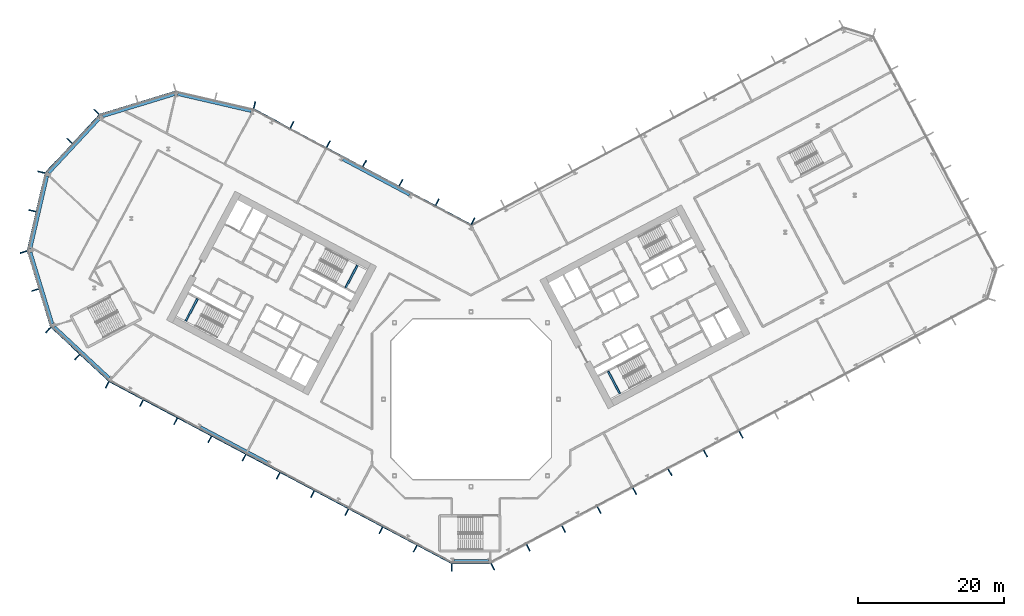
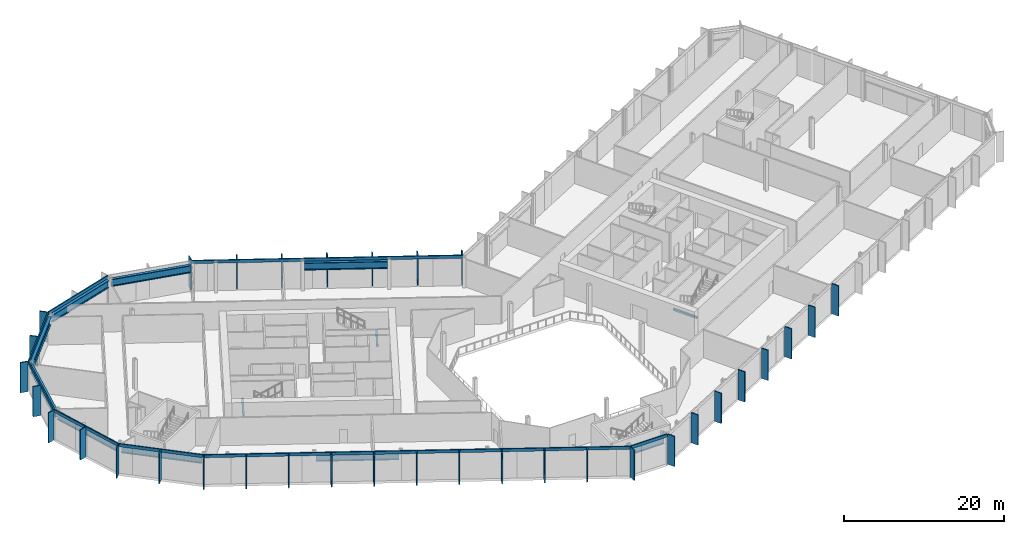
# One storey, part 7 of 31: 42 members, 12 beams, 10 elements without a shape of their own.
"""IFC4 building model written with IfcOpenShell, lengths in metres."""

from ifc_helpers import new_model, si_unit, direction, frame, origin, origin_2d, place, context, subcontext, project, spatial, rectangle, i_section, extrude, material, layer, layer_set, material_profile, profile_set, type_object, element, aggregate, save


model = new_model("IFC4")

# Units and contexts
model_context = context("Model", 3, precision=1e-05, world=origin(), true_north=direction((0.0, 1.0)))
body_context = subcontext(model_context, "Body", "Model", "MODEL_VIEW")
ifc_project = project(units=[si_unit("LENGTHUNIT", "METRE"), si_unit("AREAUNIT", "SQUARE_METRE"), si_unit("VOLUMEUNIT", "CUBIC_METRE"), si_unit("PLANEANGLEUNIT", "RADIAN"), si_unit("MASSUNIT", "GRAM", prefix="KILO")], contexts=[model_context])

# Site, building, storey
site_placement = place(None, origin())
site = spatial("IfcSite", under=ifc_project, at=site_placement, CompositionType="ELEMENT")
building_placement = place(site_placement, origin())
building = spatial("IfcBuilding", under=site, at=building_placement, Name="Cormorant Relay Tower", CompositionType="ELEMENT")
storey_placement = place(building_placement, frame((0.0, 0.0, 98.39990234375)))
storey = spatial("IfcBuildingStorey", under=building, at=storey_placement, Name="L19", CompositionType="ELEMENT", Elevation=98.39990234375)

# Curtain wall, member
ifc_material_1 = material(Name="Aluminium 6063-T6 anodised bronze", Category="aluminium")
ifc_layer = layer(ifc_material_1, 0.199951171875)
ifc_layer_set = layer_set([ifc_layer], Name="CW1 unitised bronze curtain wall with vertical fins")
curtain_wall_type = type_object("IfcCurtainWallType", Name="CW1 unitised bronze curtain wall with vertical fins", PredefinedType="NOTDEFINED", material=ifc_layer_set)
curtain_wall_1_placement = place(storey_placement, origin())
curtain_wall_1 = element("IfcCurtainWall", 1, at=curtain_wall_1_placement, inside=storey, type_object=curtain_wall_type, Name="CW1 curtain wall 1", PredefinedType="NOTDEFINED")
ifc_material_2 = material(Name="Aluminium 6063-T6 anodised bronze", Category="aluminium")
ifc_material_profile_1 = material_profile(ifc_material_2, rectangle(XDim=0.14990234375, YDim=1.0, at=origin_2d()), Name="AL 150x1000")
ifc_profile_set_1 = profile_set([ifc_material_profile_1], Name="Aluminium 6063-T6 anodised bronze")
member_type_1 = type_object("IfcMemberType", Name="CW1 bronze fin mullion 150 x 1000", PredefinedType="MULLION", material=ifc_profile_set_1)
member_1_placement = place(storey_placement, frame((-2.648681640625, -23.07568359375, 0.0), z_axis=(0.0, 0.0, 1.0), x_axis=(1.0, 0.0, 0.0)))
member_1 = element("IfcMember", 2, at=member_1_placement, type_object=member_type_1, Name="CW1 fin 1.1", PredefinedType="MULLION", context=body_context, shape_type="SweptSolid", body=[
    extrude(rectangle(XDim=0.14990234375, YDim=1.0, at=origin_2d()), origin(), (0.0, 0.0, 1.0), 4.60009765625),
])

# Curtain wall, members
curtain_wall_2_placement = place(storey_placement, origin())
curtain_wall_2 = element("IfcCurtainWall", 3, at=curtain_wall_2_placement, inside=storey, type_object=curtain_wall_type, Name="CW1 curtain wall 2", PredefinedType="NOTDEFINED")
member_2_placement = place(storey_placement, frame((2.9775390625, -22.99365234375, 0.0), z_axis=(0.0, 0.0, 1.0), x_axis=(0.882947592859, 0.469471562786, 0.0)))
member_2 = element("IfcMember", 4, at=member_2_placement, type_object=member_type_1, Name="CW1 fin 2.1", PredefinedType="MULLION", context=body_context, shape_type="SweptSolid", body=[
    extrude(rectangle(XDim=0.14990234375, YDim=1.0, at=origin_2d()), origin(), (0.0, 0.0, 1.0), 4.60009765625),
])
member_3_placement = place(storey_placement, frame((7.843994140625, -20.406005859375, 0.0), z_axis=(0.0, 0.0, 1.0), x_axis=(0.882947592859, 0.469471562786, 0.0)))
member_3 = element("IfcMember", 5, at=member_3_placement, type_object=member_type_1, Name="CW1 fin 2.2", PredefinedType="MULLION", context=body_context, shape_type="SweptSolid", body=[
    extrude(rectangle(XDim=0.14990234375, YDim=1.0, at=origin_2d()), origin(), (0.0, 0.0, 1.0), 4.60009765625),
])
member_4_placement = place(storey_placement, frame((12.710693359375, -17.818359375, 0.0), z_axis=(0.0, 0.0, 1.0), x_axis=(0.882947592859, 0.469471562786, 0.0)))
member_4 = element("IfcMember", 6, at=member_4_placement, type_object=member_type_1, Name="CW1 fin 2.3", PredefinedType="MULLION", context=body_context, shape_type="SweptSolid", body=[
    extrude(rectangle(XDim=0.14990234375, YDim=1.0, at=origin_2d()), origin(), (0.0, 0.0, 1.0), 4.60009765625),
])
member_5_placement = place(storey_placement, frame((17.577392578125, -15.230712890625, 0.0), z_axis=(0.0, 0.0, 1.0), x_axis=(0.882947592859, 0.469471562786, 0.0)))
member_5 = element("IfcMember", 7, at=member_5_placement, type_object=member_type_1, Name="CW1 fin 2.4", PredefinedType="MULLION", context=body_context, shape_type="SweptSolid", body=[
    extrude(rectangle(XDim=0.14990234375, YDim=1.0, at=origin_2d()), origin(), (0.0, 0.0, 1.0), 4.60009765625),
])
member_6_placement = place(storey_placement, frame((22.444091796875, -12.64306640625, 0.0), z_axis=(0.0, 0.0, 1.0), x_axis=(0.882947592859, 0.469471562786, 0.0)))
member_6 = element("IfcMember", 8, at=member_6_placement, type_object=member_type_1, Name="CW1 fin 2.5", PredefinedType="MULLION", context=body_context, shape_type="SweptSolid", body=[
    extrude(rectangle(XDim=0.14990234375, YDim=1.0, at=origin_2d()), origin(), (0.0, 0.0, 1.0), 4.60009765625),
])
member_7_placement = place(storey_placement, frame((27.310791015625, -10.055419921875, 0.0), z_axis=(0.0, 0.0, 1.0), x_axis=(0.882947592859, 0.469471562786, 0.0)))
member_7 = element("IfcMember", 9, at=member_7_placement, type_object=member_type_1, Name="CW1 fin 2.6", PredefinedType="MULLION", context=body_context, shape_type="SweptSolid", body=[
    extrude(rectangle(XDim=0.14990234375, YDim=1.0, at=origin_2d()), origin(), (0.0, 0.0, 1.0), 4.60009765625),
])
member_8_placement = place(storey_placement, frame((32.177490234375, -7.4677734375, 0.0), z_axis=(0.0, 0.0, 1.0), x_axis=(0.882947592859, 0.469471562786, 0.0)))
member_8 = element("IfcMember", 10, at=member_8_placement, type_object=member_type_1, Name="CW1 fin 2.7", PredefinedType="MULLION", context=body_context, shape_type="SweptSolid", body=[
    extrude(rectangle(XDim=0.14990234375, YDim=1.0, at=origin_2d()), origin(), (0.0, 0.0, 1.0), 4.60009765625),
])
member_9_placement = place(storey_placement, frame((37.044189453125, -4.8798828125, 0.0), z_axis=(0.0, 0.0, 1.0), x_axis=(0.882947592859, 0.469471562786, 0.0)))
member_9 = element("IfcMember", 11, at=member_9_placement, type_object=member_type_1, Name="CW1 fin 2.8", PredefinedType="MULLION", context=body_context, shape_type="SweptSolid", body=[
    extrude(rectangle(XDim=0.14990234375, YDim=1.0, at=origin_2d()), origin(), (0.0, 0.0, 1.0), 4.60009765625),
])
aggregate(curtain_wall_2, [member_2, member_3, member_4, member_5, member_6, member_7, member_8, member_9])

curtain_wall_3_placement = place(storey_placement, origin())
curtain_wall_3 = element("IfcCurtainWall", 12, at=curtain_wall_3_placement, inside=storey, type_object=curtain_wall_type, Name="CW1 curtain wall 7", PredefinedType="NOTDEFINED")
member_10_placement = place(storey_placement, frame((0.262451171875, 24.437255859375, 0.0), z_axis=(0.0, 0.0, 1.0), x_axis=(-0.882947592859, 0.469471562786, 0.0)))
member_10 = element("IfcMember", 13, at=member_10_placement, type_object=member_type_1, Name="CW1 fin 7.1", PredefinedType="MULLION", context=body_context, shape_type="SweptSolid", body=[
    extrude(rectangle(XDim=0.14990234375, YDim=1.0, at=origin_2d()), origin(), (0.0, 0.0, 1.0), 4.60009765625),
])
member_11_placement = place(storey_placement, frame((-4.650390625, 27.04931640625, 0.0), z_axis=(0.0, 0.0, 1.0), x_axis=(-0.882947592859, 0.469471562786, 0.0)))
member_11 = element("IfcMember", 14, at=member_11_placement, type_object=member_type_1, Name="CW1 fin 7.2", PredefinedType="MULLION", context=body_context, shape_type="SweptSolid", body=[
    extrude(rectangle(XDim=0.14990234375, YDim=1.0, at=origin_2d()), origin(), (0.0, 0.0, 1.0), 4.60009765625),
])
member_12_placement = place(storey_placement, frame((-9.62939453125, 29.69677734375, 0.0), z_axis=(0.0, 0.0, 1.0), x_axis=(-0.882947592859, 0.469471562786, 0.0)))
member_12 = element("IfcMember", 15, at=member_12_placement, type_object=member_type_1, Name="CW1 fin 7.3", PredefinedType="MULLION", context=body_context, shape_type="SweptSolid", body=[
    extrude(rectangle(XDim=0.14990234375, YDim=1.0, at=origin_2d()), origin(), (0.0, 0.0, 1.0), 4.60009765625),
])
member_13_placement = place(storey_placement, frame((-14.608154296875, 32.343994140625, 0.0), z_axis=(0.0, 0.0, 1.0), x_axis=(-0.882947592859, 0.469471562786, 0.0)))
member_13 = element("IfcMember", 16, at=member_13_placement, type_object=member_type_1, Name="CW1 fin 7.4", PredefinedType="MULLION", context=body_context, shape_type="SweptSolid", body=[
    extrude(rectangle(XDim=0.14990234375, YDim=1.0, at=origin_2d()), origin(), (0.0, 0.0, 1.0), 4.60009765625),
])
member_14_placement = place(storey_placement, frame((-19.587158203125, 34.991455078125, 0.0), z_axis=(0.0, 0.0, 1.0), x_axis=(-0.882947592859, 0.469471562786, 0.0)))
member_14 = element("IfcMember", 17, at=member_14_placement, type_object=member_type_1, Name="CW1 fin 7.5", PredefinedType="MULLION", context=body_context, shape_type="SweptSolid", body=[
    extrude(rectangle(XDim=0.14990234375, YDim=1.0, at=origin_2d()), origin(), (0.0, 0.0, 1.0), 4.60009765625),
])
member_15_placement = place(storey_placement, frame((-24.566162109375, 37.638916015625, 0.0), z_axis=(0.0, 0.0, 1.0), x_axis=(-0.882947592859, 0.469471562786, 0.0)))
member_15 = element("IfcMember", 18, at=member_15_placement, type_object=member_type_1, Name="CW1 fin 7.6", PredefinedType="MULLION", context=body_context, shape_type="SweptSolid", body=[
    extrude(rectangle(XDim=0.14990234375, YDim=1.0, at=origin_2d()), origin(), (0.0, 0.0, 1.0), 4.60009765625),
])

# Curtain wall, member
curtain_wall_4_placement = place(storey_placement, origin())
curtain_wall_4 = element("IfcCurtainWall", 19, at=curtain_wall_4_placement, inside=storey, type_object=curtain_wall_type, Name="CW1 curtain wall 8", PredefinedType="NOTDEFINED")
member_16_placement = place(storey_placement, frame((-29.71630859375, 40.35009765625, 0.0), z_axis=(0.0, 0.0, 1.0), x_axis=(-0.974370064785, 0.224951054344, 0.0)))
member_16 = element("IfcMember", 20, at=member_16_placement, type_object=member_type_1, Name="CW1 fin 8.1", PredefinedType="MULLION", context=body_context, shape_type="SweptSolid", body=[
    extrude(rectangle(XDim=0.14990234375, YDim=1.0, at=origin_2d()), origin(), (0.0, 0.0, 1.0), 4.60009765625),
])
aggregate(curtain_wall_4, [member_16])

# Curtain wall, members
curtain_wall_5_placement = place(storey_placement, origin())
curtain_wall_5 = element("IfcCurtainWall", 21, at=curtain_wall_5_placement, inside=storey, type_object=curtain_wall_type, Name="CW1 curtain wall 10", PredefinedType="NOTDEFINED")
member_17_placement = place(storey_placement, frame((-51.372802734375, 39.41259765625, 0.0), z_axis=(0.0, 0.0, 1.0), x_axis=(-0.681998360062, -0.731353701619, 0.0)))
member_17 = element("IfcMember", 22, at=member_17_placement, type_object=member_type_1, Name="CW1 fin 10.1", PredefinedType="MULLION", context=body_context, shape_type="SweptSolid", body=[
    extrude(rectangle(XDim=0.14990234375, YDim=1.0, at=origin_2d()), origin(), (0.0, 0.0, 1.0), 4.60009765625),
])
member_18_placement = place(storey_placement, frame((-55.07958984375, 35.4375, 0.0), z_axis=(0.0, 0.0, 1.0), x_axis=(-0.681998360062, -0.731353701619, 0.0)))
member_18 = element("IfcMember", 23, at=member_18_placement, type_object=member_type_1, Name="CW1 fin 10.2", PredefinedType="MULLION", context=body_context, shape_type="SweptSolid", body=[
    extrude(rectangle(XDim=0.14990234375, YDim=1.0, at=origin_2d()), origin(), (0.0, 0.0, 1.0), 4.60009765625),
])

curtain_wall_6_placement = place(storey_placement, origin())
curtain_wall_6 = element("IfcCurtainWall", 24, at=curtain_wall_6_placement, inside=storey, type_object=curtain_wall_type, Name="CW1 curtain wall 11", PredefinedType="NOTDEFINED")
member_19_placement = place(storey_placement, frame((-58.95654296875, 31.142578125, 0.0), z_axis=(0.0, 0.0, 1.0), x_axis=(-0.224951054344, -0.974370064785, 0.0)))
member_19 = element("IfcMember", 25, at=member_19_placement, type_object=member_type_1, Name="CW1 fin 11.1", PredefinedType="MULLION", context=body_context, shape_type="SweptSolid", body=[
    extrude(rectangle(XDim=0.14990234375, YDim=1.0, at=origin_2d()), origin(), (0.0, 0.0, 1.0), 4.60009765625),
])
member_20_placement = place(storey_placement, frame((-60.17919921875, 25.8466796875, 0.0), z_axis=(0.0, 0.0, 1.0), x_axis=(-0.224951054344, -0.974370064785, 0.0)))
member_20 = element("IfcMember", 26, at=member_20_placement, type_object=member_type_1, Name="CW1 fin 11.2", PredefinedType="MULLION", context=body_context, shape_type="SweptSolid", body=[
    extrude(rectangle(XDim=0.14990234375, YDim=1.0, at=origin_2d()), origin(), (0.0, 0.0, 1.0), 4.60009765625),
])

curtain_wall_7_placement = place(storey_placement, origin())
curtain_wall_7 = element("IfcCurtainWall", 27, at=curtain_wall_7_placement, inside=storey, type_object=curtain_wall_type, Name="CW1 curtain wall 12", PredefinedType="NOTDEFINED")
member_21_placement = place(storey_placement, frame((-61.389404296875, 20.188720703125, 0.0), z_axis=(0.0, 0.0, 1.0), x_axis=(0.292371704723, -0.956304755963, 0.0)))
member_21 = element("IfcMember", 28, at=member_21_placement, type_object=member_type_1, Name="CW1 fin 12.1", PredefinedType="MULLION", context=body_context, shape_type="SweptSolid", body=[
    extrude(rectangle(XDim=0.14990234375, YDim=1.0, at=origin_2d()), origin(), (0.0, 0.0, 1.0), 4.60009765625),
])
member_22_placement = place(storey_placement, frame((-59.80029296875, 14.990966796875, 0.0), z_axis=(0.0, 0.0, 1.0), x_axis=(0.292371704723, -0.956304755963, 0.0)))
member_22 = element("IfcMember", 29, at=member_22_placement, type_object=member_type_1, Name="CW1 fin 12.2", PredefinedType="MULLION", context=body_context, shape_type="SweptSolid", body=[
    extrude(rectangle(XDim=0.14990234375, YDim=1.0, at=origin_2d()), origin(), (0.0, 0.0, 1.0), 4.60009765625),
])

curtain_wall_8_placement = place(storey_placement, origin())
curtain_wall_8 = element("IfcCurtainWall", 30, at=curtain_wall_8_placement, inside=storey, type_object=curtain_wall_type, Name="CW1 curtain wall 13", PredefinedType="NOTDEFINED")
member_23_placement = place(storey_placement, frame((-58.01904296875, 9.486083984375, 0.0), z_axis=(0.0, 0.0, 1.0), x_axis=(0.731353701619, -0.681998360062, 0.0)))
member_23 = element("IfcMember", 31, at=member_23_placement, type_object=member_type_1, Name="CW1 fin 13.1", PredefinedType="MULLION", context=body_context, shape_type="SweptSolid", body=[
    extrude(rectangle(XDim=0.14990234375, YDim=1.0, at=origin_2d()), origin(), (0.0, 0.0, 1.0), 4.60009765625),
])
member_24_placement = place(storey_placement, frame((-54.0439453125, 5.779296875, 0.0), z_axis=(0.0, 0.0, 1.0), x_axis=(0.731353701619, -0.681998360062, 0.0)))
member_24 = element("IfcMember", 32, at=member_24_placement, type_object=member_type_1, Name="CW1 fin 13.2", PredefinedType="MULLION", context=body_context, shape_type="SweptSolid", body=[
    extrude(rectangle(XDim=0.14990234375, YDim=1.0, at=origin_2d()), origin(), (0.0, 0.0, 1.0), 4.60009765625),
])

curtain_wall_9_placement = place(storey_placement, origin())
curtain_wall_9 = element("IfcCurtainWall", 33, at=curtain_wall_9_placement, inside=storey, type_object=curtain_wall_type, Name="CW1 curtain wall 14", PredefinedType="NOTDEFINED")
member_25_placement = place(storey_placement, frame((-49.920166015625, 1.96630859375, 0.0), z_axis=(0.0, 0.0, 1.0), x_axis=(0.882947592859, -0.469471562786, 0.0)))
member_25 = element("IfcMember", 34, at=member_25_placement, type_object=member_type_1, Name="CW1 fin 14.1", PredefinedType="MULLION", context=body_context, shape_type="SweptSolid", body=[
    extrude(rectangle(XDim=0.14990234375, YDim=1.0, at=origin_2d()), origin(), (0.0, 0.0, 1.0), 4.60009765625),
])
member_26_placement = place(storey_placement, frame((-45.225830078125, -0.52978515625, 0.0), z_axis=(0.0, 0.0, 1.0), x_axis=(0.882947592859, -0.469471562786, 0.0)))
member_26 = element("IfcMember", 35, at=member_26_placement, type_object=member_type_1, Name="CW1 fin 14.2", PredefinedType="MULLION", context=body_context, shape_type="SweptSolid", body=[
    extrude(rectangle(XDim=0.14990234375, YDim=1.0, at=origin_2d()), origin(), (0.0, 0.0, 1.0), 4.60009765625),
])
member_27_placement = place(storey_placement, frame((-40.531494140625, -3.025634765625, 0.0), z_axis=(0.0, 0.0, 1.0), x_axis=(0.882947592859, -0.469471562786, 0.0)))
member_27 = element("IfcMember", 36, at=member_27_placement, type_object=member_type_1, Name="CW1 fin 14.3", PredefinedType="MULLION", context=body_context, shape_type="SweptSolid", body=[
    extrude(rectangle(XDim=0.14990234375, YDim=1.0, at=origin_2d()), origin(), (0.0, 0.0, 1.0), 4.60009765625),
])
member_28_placement = place(storey_placement, frame((-35.83740234375, -5.521728515625, 0.0), z_axis=(0.0, 0.0, 1.0), x_axis=(0.882947592859, -0.469471562786, 0.0)))
member_28 = element("IfcMember", 37, at=member_28_placement, type_object=member_type_1, Name="CW1 fin 14.4", PredefinedType="MULLION", context=body_context, shape_type="SweptSolid", body=[
    extrude(rectangle(XDim=0.14990234375, YDim=1.0, at=origin_2d()), origin(), (0.0, 0.0, 1.0), 4.60009765625),
])
member_29_placement = place(storey_placement, frame((-31.14306640625, -8.017578125, 0.0), z_axis=(0.0, 0.0, 1.0), x_axis=(0.882947592859, -0.469471562786, 0.0)))
member_29 = element("IfcMember", 38, at=member_29_placement, type_object=member_type_1, Name="CW1 fin 14.5", PredefinedType="MULLION", context=body_context, shape_type="SweptSolid", body=[
    extrude(rectangle(XDim=0.14990234375, YDim=1.0, at=origin_2d()), origin(), (0.0, 0.0, 1.0), 4.60009765625),
])
member_30_placement = place(storey_placement, frame((-26.44873046875, -10.513671875, 0.0), z_axis=(0.0, 0.0, 1.0), x_axis=(0.882947592859, -0.469471562786, 0.0)))
member_30 = element("IfcMember", 39, at=member_30_placement, type_object=member_type_1, Name="CW1 fin 14.6", PredefinedType="MULLION", context=body_context, shape_type="SweptSolid", body=[
    extrude(rectangle(XDim=0.14990234375, YDim=1.0, at=origin_2d()), origin(), (0.0, 0.0, 1.0), 4.60009765625),
])
member_31_placement = place(storey_placement, frame((-21.754638671875, -13.009765625, 0.0), z_axis=(0.0, 0.0, 1.0), x_axis=(0.882947592859, -0.469471562786, 0.0)))
member_31 = element("IfcMember", 40, at=member_31_placement, type_object=member_type_1, Name="CW1 fin 14.7", PredefinedType="MULLION", context=body_context, shape_type="SweptSolid", body=[
    extrude(rectangle(XDim=0.14990234375, YDim=1.0, at=origin_2d()), origin(), (0.0, 0.0, 1.0), 4.60009765625),
])
member_32_placement = place(storey_placement, frame((-17.060302734375, -15.505615234375, 0.0), z_axis=(0.0, 0.0, 1.0), x_axis=(0.882947592859, -0.469471562786, 0.0)))
member_32 = element("IfcMember", 41, at=member_32_placement, type_object=member_type_1, Name="CW1 fin 14.8", PredefinedType="MULLION", context=body_context, shape_type="SweptSolid", body=[
    extrude(rectangle(XDim=0.14990234375, YDim=1.0, at=origin_2d()), origin(), (0.0, 0.0, 1.0), 4.60009765625),
])
member_33_placement = place(storey_placement, frame((-12.365966796875, -18.001708984375, 0.0), z_axis=(0.0, 0.0, 1.0), x_axis=(0.882947592859, -0.469471562786, 0.0)))
member_33 = element("IfcMember", 42, at=member_33_placement, type_object=member_type_1, Name="CW1 fin 14.9", PredefinedType="MULLION", context=body_context, shape_type="SweptSolid", body=[
    extrude(rectangle(XDim=0.14990234375, YDim=1.0, at=origin_2d()), origin(), (0.0, 0.0, 1.0), 4.60009765625),
])
member_34_placement = place(storey_placement, frame((-7.671630859375, -20.49755859375, 0.0), z_axis=(0.0, 0.0, 1.0), x_axis=(0.882947592859, -0.469471562786, 0.0)))
member_34 = element("IfcMember", 43, at=member_34_placement, type_object=member_type_1, Name="CW1 fin 14.10", PredefinedType="MULLION", context=body_context, shape_type="SweptSolid", body=[
    extrude(rectangle(XDim=0.14990234375, YDim=1.0, at=origin_2d()), origin(), (0.0, 0.0, 1.0), 4.60009765625),
])

# Member
ifc_material_3 = material(Name="Aluminium 6063-T6 anodised bronze", Category="aluminium")
ifc_material_profile_2 = material_profile(ifc_material_3, rectangle(XDim=0.159912109375, YDim=0.449951171875, at=origin_2d()), Name="AL 160x450")
ifc_profile_set_2 = profile_set([ifc_material_profile_2], Name="Aluminium 6063-T6 anodised bronze")
member_type_2 = type_object("IfcMemberType", Name="CW1 bronze transom 160 x 450", PredefinedType="USERDEFINED", material=ifc_profile_set_2)
member_35_placement = place(storey_placement, frame((-2.648681640625, -22.49560546875, 4.375), z_axis=(1.0, 0.0, 0.0), x_axis=(0.0, 1.0, 0.0)))
member_35 = element("IfcMember", 44, at=member_35_placement, type_object=member_type_2, Name="CW1 transom 1", ObjectType="TRANSOM", PredefinedType="USERDEFINED", context=body_context, shape_type="SweptSolid", body=[
    extrude(rectangle(XDim=0.159912109375, YDim=0.449951171875, at=origin_2d()), origin(), (0.0, 0.0, 1.0), 5.29736328125),
])

aggregate(curtain_wall_1, [member_1, member_35])

member_36_placement = place(storey_placement, frame((0.056396484375, 23.889892578125, 4.375), z_axis=(-0.882946280328, 0.46947403129, 0.0), x_axis=(-0.46947403129, -0.882946280328, 0.0)))
member_36 = element("IfcMember", 45, at=member_36_placement, type_object=member_type_2, Name="CW1 transom 7", ObjectType="TRANSOM", PredefinedType="USERDEFINED", context=body_context, shape_type="SweptSolid", body=[
    extrude(rectangle(XDim=0.159912109375, YDim=0.449951171875, at=origin_2d()), origin(), (0.0, 0.0, 1.0), 33.834228515625),
])

aggregate(curtain_wall_3, [member_10, member_11, member_12, member_13, member_14, member_15, member_36])

# Curtain wall, member
curtain_wall_10_placement = place(storey_placement, origin())
curtain_wall_10 = element("IfcCurtainWall", 46, at=curtain_wall_10_placement, inside=storey, type_object=curtain_wall_type, Name="CW1 curtain wall 9", PredefinedType="NOTDEFINED")
member_37_placement = place(storey_placement, frame((-40.50048828125, 42.228271484375, 4.375), z_axis=(-0.956304833932, -0.292371449698, 0.0), x_axis=(0.292371449698, -0.956304833932, 0.0)))
member_37 = element("IfcMember", 47, at=member_37_placement, type_object=member_type_2, Name="CW1 transom 9", ObjectType="TRANSOM", PredefinedType="USERDEFINED", context=body_context, shape_type="SweptSolid", body=[
    extrude(rectangle(XDim=0.159912109375, YDim=0.449951171875, at=origin_2d()), origin(), (0.0, 0.0, 1.0), 10.87060546875),
])
aggregate(curtain_wall_10, [member_37])

# Member
member_38_placement = place(storey_placement, frame((-50.94873046875, 39.01708984375, 4.375), z_axis=(-0.681993299437, -0.731358420696, 0.0), x_axis=(0.731358420696, -0.681993299437, 0.0)))
member_38 = element("IfcMember", 48, at=member_38_placement, type_object=member_type_2, Name="CW1 transom 10", ObjectType="TRANSOM", PredefinedType="USERDEFINED", context=body_context, shape_type="SweptSolid", body=[
    extrude(rectangle(XDim=0.159912109375, YDim=0.449951171875, at=origin_2d()), origin(), (0.0, 0.0, 1.0), 10.870361328125),
])

aggregate(curtain_wall_5, [member_17, member_18, member_38])

member_39_placement = place(storey_placement, frame((-58.3916015625, 31.01220703125, 4.375), z_axis=(-0.22495136131, -0.974369993916, 0.0), x_axis=(0.974369993916, -0.22495136131, 0.0)))
member_39 = element("IfcMember", 49, at=member_39_placement, type_object=member_type_2, Name="CW1 transom 11", ObjectType="TRANSOM", PredefinedType="USERDEFINED", context=body_context, shape_type="SweptSolid", body=[
    extrude(rectangle(XDim=0.159912109375, YDim=0.449951171875, at=origin_2d()), origin(), (0.0, 0.0, 1.0), 10.870361328125),
])

aggregate(curtain_wall_6, [member_19, member_20, member_39])

member_40_placement = place(storey_placement, frame((-60.834716796875, 20.358154296875, 4.375), z_axis=(0.292377729282, -0.95630291405, 0.0), x_axis=(0.95630291405, 0.292377729282, 0.0)))
member_40 = element("IfcMember", 50, at=member_40_placement, type_object=member_type_2, Name="CW1 transom 12", ObjectType="TRANSOM", PredefinedType="USERDEFINED", context=body_context, shape_type="SweptSolid", body=[
    extrude(rectangle(XDim=0.159912109375, YDim=0.449951171875, at=origin_2d()), origin(), (0.0, 0.0, 1.0), 10.870361328125),
])

aggregate(curtain_wall_7, [member_21, member_22, member_40])

member_41_placement = place(storey_placement, frame((-57.62353515625, 9.91015625, 4.375), z_axis=(0.731358420696, -0.681993299437, 0.0), x_axis=(0.681993299437, 0.731358420696, 0.0)))
member_41 = element("IfcMember", 51, at=member_41_placement, type_object=member_type_2, Name="CW1 transom 13", ObjectType="TRANSOM", PredefinedType="USERDEFINED", context=body_context, shape_type="SweptSolid", body=[
    extrude(rectangle(XDim=0.159912109375, YDim=0.449951171875, at=origin_2d()), origin(), (0.0, 0.0, 1.0), 10.870361328125),
])

aggregate(curtain_wall_8, [member_23, member_24, member_41])

member_42_placement = place(storey_placement, frame((-49.64794921875, 2.478515625, 4.375), z_axis=(0.882947642542, -0.469471469346, 0.0), x_axis=(0.469471469346, 0.882947642542, 0.0)))
member_42 = element("IfcMember", 52, at=member_42_placement, type_object=member_type_2, Name="CW1 transom 14", ObjectType="TRANSOM", PredefinedType="USERDEFINED", context=body_context, shape_type="SweptSolid", body=[
    extrude(rectangle(XDim=0.159912109375, YDim=0.449951171875, at=origin_2d()), origin(), (0.0, 0.0, 1.0), 53.166015625),
])

aggregate(curtain_wall_9, [member_25, member_26, member_27, member_28, member_29, member_30, member_31, member_32, member_33, member_34, member_42])

# Beams
ifc_material_4 = material(Name="Steel ASTM A992 (Fy 345 MPa)", Category="steel")
ifc_material_profile_3 = material_profile(ifc_material_4, i_section(OverallWidth=0.40380859375, OverallDepth=1.11767578125, WebThickness=0.026123046875, FlangeThickness=0.044921875, FilletRadius=0.02001953125, at=origin_2d()), Name="W1100x499")
ifc_profile_set_3 = profile_set([ifc_material_profile_3], Name="Steel ASTM A992 (Fy 345 MPa)")
beam_type_1 = type_object("IfcBeamType", Name="Spandrel W1100x499", PredefinedType="SPANDREL", material=ifc_profile_set_3)
beam_1_placement = place(storey_placement, frame((-2.3486328125, -22.173583984375, 3.641357421875), z_axis=(1.0, 0.0, 0.0), x_axis=(0.0, 1.0, 0.0)))
element("IfcBeam", 53, at=beam_1_placement, inside=storey, type_object=beam_type_1, Name="Spandrel beam L19-001", PredefinedType="SPANDREL", context=body_context, shape_type="SweptSolid", body=[
    extrude(i_section(OverallWidth=0.40380859375, OverallDepth=1.11767578125, WebThickness=0.026123046875, FlangeThickness=0.044921875, FilletRadius=0.02001953125, at=origin_2d()), origin(), (0.0, 0.0, 1.0), 4.736083984375),
])
beam_2_placement = place(storey_placement, frame((-8.435302734375, 28.040283203125, 3.641357421875), z_axis=(-0.882946891921, 0.469472881056, 0.0), x_axis=(-0.469472881056, -0.882946891921, 0.0)))
element("IfcBeam", 54, at=beam_2_placement, inside=storey, type_object=beam_type_1, Name="Spandrel beam L19-007", PredefinedType="SPANDREL", context=body_context, shape_type="SweptSolid", body=[
    extrude(i_section(OverallWidth=0.40380859375, OverallDepth=1.11767578125, WebThickness=0.026123046875, FlangeThickness=0.044921875, FilletRadius=0.02001953125, at=origin_2d()), origin(), (0.0, 0.0, 1.0), 10.376220703125),
])
beam_3_placement = place(storey_placement, frame((-30.171142578125, 39.529541015625, 3.641357421875), z_axis=(-0.974368523335, 0.224957730996, 0.0), x_axis=(-0.224957730996, -0.974368523335, 0.0)))
element("IfcBeam", 55, at=beam_3_placement, inside=storey, type_object=beam_type_1, Name="Spandrel beam L19-008", PredefinedType="SPANDREL", context=body_context, shape_type="SweptSolid", body=[
    extrude(i_section(OverallWidth=0.40380859375, OverallDepth=1.11767578125, WebThickness=0.026123046875, FlangeThickness=0.044921875, FilletRadius=0.02001953125, at=origin_2d()), origin(), (0.0, 0.0, 1.0), 10.346923828125),
])
beam_4_placement = place(storey_placement, frame((-40.70166015625, 41.830078125, 3.641357421875), z_axis=(-0.956304442866, -0.292372728814, 0.0), x_axis=(0.292372728814, -0.956304442866, 0.0)))
element("IfcBeam", 56, at=beam_4_placement, inside=storey, type_object=beam_type_1, Name="Spandrel beam L19-009", PredefinedType="SPANDREL", context=body_context, shape_type="SweptSolid", body=[
    extrude(i_section(OverallWidth=0.40380859375, OverallDepth=1.11767578125, WebThickness=0.026123046875, FlangeThickness=0.044921875, FilletRadius=0.02001953125, at=origin_2d()), origin(), (0.0, 0.0, 1.0), 10.297607421875),
])
for number, where, z_axis, x_axis, name in (
    (57, (-50.924072265625, 38.571533203125, 3.641357421875), (-0.681993790146, -0.731357963108, 0.0), (0.731357963108, -0.681993790146, 0.0), "Spandrel beam L19-010"),
    (58, (-58.147216796875, 30.638671875, 3.641357421875), (-0.224939161738, -0.974372810333, 0.0), (0.974372810333, -0.224939161738, 0.0), "Spandrel beam L19-011"),
):
    element("IfcBeam", number, at=place(storey_placement, frame(where, z_axis=z_axis, x_axis=x_axis)), inside=storey, type_object=beam_type_1, Name=name, PredefinedType="SPANDREL", context=body_context, shape_type="SweptSolid", body=[
        extrude(i_section(OverallWidth=0.40380859375, OverallDepth=1.11767578125, WebThickness=0.026123046875, FlangeThickness=0.044921875, FilletRadius=0.02001953125, at=origin_2d()), origin(), (0.0, 0.0, 1.0), 10.296875),
    ])
beam_5_placement = place(storey_placement, frame((-60.4365234375, 20.1572265625, 3.641357421875), z_axis=(0.292372728814, -0.956304442866, 0.0), x_axis=(0.956304442866, 0.292372728814, 0.0)))
element("IfcBeam", 59, at=beam_5_placement, inside=storey, type_object=beam_type_1, Name="Spandrel beam L19-012", PredefinedType="SPANDREL", context=body_context, shape_type="SweptSolid", body=[
    extrude(i_section(OverallWidth=0.40380859375, OverallDepth=1.11767578125, WebThickness=0.026123046875, FlangeThickness=0.044921875, FilletRadius=0.02001953125, at=origin_2d()), origin(), (0.0, 0.0, 1.0), 10.297607421875),
])
beam_6_placement = place(storey_placement, frame((-57.177734375, 9.934814453125, 3.641357421875), z_axis=(0.731345431457, -0.682007228617, 0.0), x_axis=(0.682007228617, 0.731345431457, 0.0)))
element("IfcBeam", 60, at=beam_6_placement, inside=storey, type_object=beam_type_1, Name="Spandrel beam L19-013", PredefinedType="SPANDREL", context=body_context, shape_type="SweptSolid", body=[
    extrude(i_section(OverallWidth=0.40380859375, OverallDepth=1.11767578125, WebThickness=0.026123046875, FlangeThickness=0.044921875, FilletRadius=0.02001953125, at=origin_2d()), origin(), (0.0, 0.0, 1.0), 10.322265625),
])
beam_7_placement = place(storey_placement, frame((-37.124755859375, -3.815673828125, 3.641357421875), z_axis=(0.882946891921, -0.469472881056, 0.0), x_axis=(0.469472881056, 0.882946891921, 0.0)))
element("IfcBeam", 61, at=beam_7_placement, inside=storey, type_object=beam_type_1, Name="Spandrel beam L19-014", PredefinedType="SPANDREL", context=body_context, shape_type="SweptSolid", body=[
    extrude(i_section(OverallWidth=0.40380859375, OverallDepth=1.11767578125, WebThickness=0.026123046875, FlangeThickness=0.044921875, FilletRadius=0.02001953125, at=origin_2d()), origin(), (0.0, 0.0, 1.0), 10.376220703125),
])
ifc_material_5 = material(Name="Concrete 50 MPa", Category="concrete")
ifc_material_profile_4 = material_profile(ifc_material_5, rectangle(XDim=0.25, YDim=0.300048828125, at=origin_2d()), Name="RC 250x300")
ifc_profile_set_4 = profile_set([ifc_material_profile_4], Name="Concrete 50 MPa")
beam_type_2 = type_object("IfcBeamType", Name="Stair landing ledge beam 250x300", PredefinedType="BEAM", material=ifc_profile_set_4)
beam_8_placement = place(storey_placement, frame((-17.215087890625, 15.325927734375, 1.9501953125), z_axis=(0.469519084434, 0.88292232351, 0.0), x_axis=(-0.88292232351, 0.469519084434, 0.0)))
element("IfcBeam", 62, at=beam_8_placement, inside=storey, type_object=beam_type_2, Name="A1 landing ledge beam", PredefinedType="BEAM", context=body_context, shape_type="SweptSolid", body=[
    extrude(rectangle(XDim=0.25, YDim=0.300048828125, at=origin_2d()), origin(), (0.0, 0.0, 1.0), 3.449951171875),
])
for number, where, z_axis, x_axis, name in (
    (63, (-37.52783203125, 13.781494140625, 1.9501953125), (-0.469434585424, -0.882967253078, 0.0), (0.882967253078, -0.469434585424, 0.0), "A2 landing ledge beam"),
    (64, (18.80029296875, 3.823974609375, 1.9501953125), (0.469489750874, -0.88293792184, 0.0), (0.88293792184, 0.469489750874, 0.0), "B1 landing ledge beam"),
):
    element("IfcBeam", number, at=place(storey_placement, frame(where, z_axis=z_axis, x_axis=x_axis)), inside=storey, type_object=beam_type_2, Name=name, PredefinedType="BEAM", context=body_context, shape_type="SweptSolid", body=[
        extrude(rectangle(XDim=0.25, YDim=0.300048828125, at=origin_2d()), origin(), (0.0, 0.0, 1.0), 3.4501953125),
    ])

save(model, "model.ifc")
